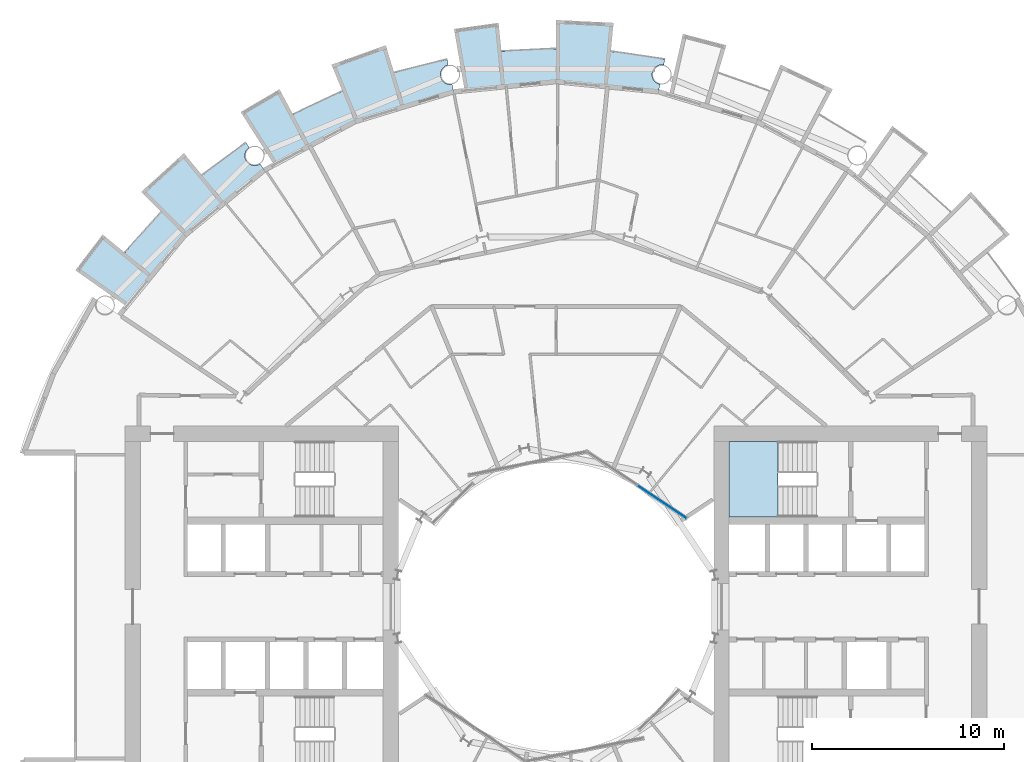
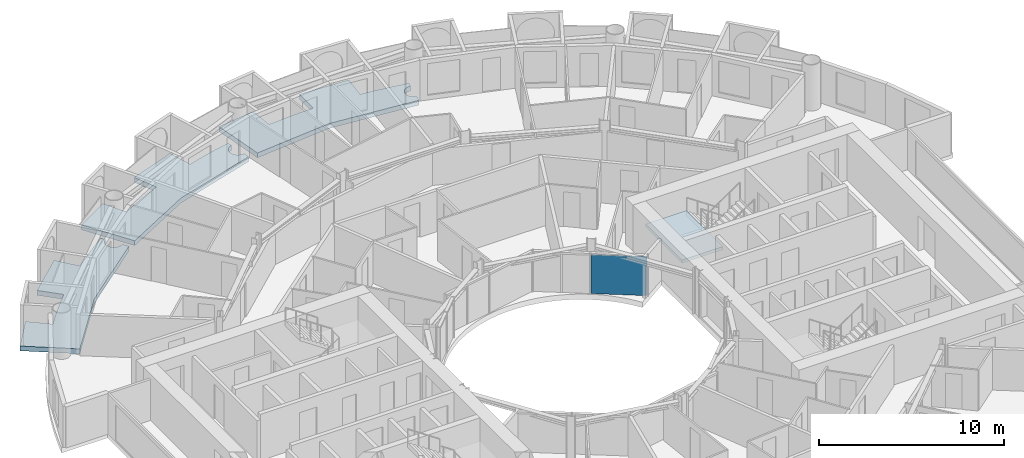
# One storey, part 11 of 26: 4 slabs, 1 plate, 2 elements without a shape of their own.
"""IFC4 building model written with IfcOpenShell, lengths in metres."""

from ifc_helpers import new_model, si_unit, direction, frame, origin, origin_2d, place, context, subcontext, project, spatial, polyline, rectangle, outline, extrude, material, layer, layer_set, type_object, element, aggregate, save


model = new_model("IFC4")

# Units and contexts
model_context = context("Model", 3, precision=1e-05, world=origin(), true_north=direction((0.0, 1.0)))
body_context = subcontext(model_context, "Body", "Model", "MODEL_VIEW")
ifc_project = project(units=[si_unit("LENGTHUNIT", "METRE"), si_unit("AREAUNIT", "SQUARE_METRE"), si_unit("VOLUMEUNIT", "CUBIC_METRE"), si_unit("PLANEANGLEUNIT", "RADIAN"), si_unit("MASSUNIT", "GRAM", prefix="KILO")], contexts=[model_context])

# Site, building, storey
site_placement = place(None, origin())
site = spatial("IfcSite", under=ifc_project, at=site_placement, CompositionType="ELEMENT")
building_placement = place(site_placement, origin())
building = spatial("IfcBuilding", under=site, at=building_placement, Name="Maasbend Ring Residences", CompositionType="ELEMENT")
storey_placement = place(building_placement, frame((0.0, 0.0, 35.0)))
storey = spatial("IfcBuildingStorey", under=building, at=storey_placement, Name="L09", CompositionType="ELEMENT", Elevation=35.0)

# Stair, slab
ifc_material_1 = material(Name="Concrete C40/50", Category="concrete")
stair_type = type_object("IfcStairType", Name="CORE STAIR 18 RISERS", PredefinedType="HALF_TURN_STAIR", material=ifc_material_1)
stair_placement = place(storey_placement, origin())
stair = element("IfcStair", 1, at=stair_placement, inside=storey, type_object=stair_type, Name="L09 Exit stair ST-E1", PredefinedType="HALF_TURN_STAIR")
ifc_material_2 = material(Name="Concrete C40/50", Category="concrete")
ifc_layer_1 = layer(ifc_material_2, 0.199951171875)
ifc_layer_set_1 = layer_set([ifc_layer_1], Name="Concrete C40/50")
slab_type_1 = type_object("IfcSlabType", Name="CORE STAIR LANDING 200", PredefinedType="LANDING", material=ifc_layer_set_1)
slab_1_placement = place(storey_placement, frame((0.0, 0.0, 1.324951171875)))
slab_1 = element("IfcSlab", 2, at=slab_1_placement, type_object=slab_type_1, Name="ST-E1 landing 1", PredefinedType="LANDING", context=body_context, shape_type="SweptSolid", body=[
    extrude(outline(polyline([(11.550048828125, 8.60009765625), (9.0, 8.60009765625), (9.0, 4.64990234375), (11.550048828125, 4.64990234375), (11.550048828125, 8.60009765625)])), origin(), (0.0, 0.0, 1.0), 0.199951171875),
])
aggregate(stair, [slab_1])

# Curtain wall, plate
ifc_material_3 = material(Name="Aluminium and clear glass", Category="aluminium")
ifc_layer_2 = layer(ifc_material_3, 0.179931640625)
ifc_layer_set_2 = layer_set([ifc_layer_2], Name="CW-W")
curtain_wall_type = type_object("IfcCurtainWallType", Name="CW-W", PredefinedType="NOTDEFINED", material=ifc_layer_set_2)
curtain_wall_placement = place(storey_placement, origin())
curtain_wall = element("IfcCurtainWall", 3, at=curtain_wall_placement, inside=storey, type_object=curtain_wall_type, Name="Well curtain wall N1", PredefinedType="NOTDEFINED")
ifc_material_4 = material(Name="Glass clear laminated", Category="glass")
ifc_layer_3 = layer(ifc_material_4, 0.031982421875)
ifc_layer_set_3 = layer_set([ifc_layer_3], Name="CWP-W")
plate_type = type_object("IfcPlateType", Name="CWP-W", PredefinedType="CURTAIN_PANEL", material=ifc_layer_set_3)
plate_placement = place(storey_placement, frame((5.51123046875, 5.44580078125, 0.0), z_axis=(0.0, 0.0, 1.0), x_axis=(-0.831469612303, 0.55557023302, 0.0)))
plate = element("IfcPlate", 4, at=plate_placement, type_object=plate_type, Name="Glass panel well face", PredefinedType="CURTAIN_PANEL", context=body_context, shape_type="SweptSolid", body=[
    extrude(rectangle(XDim=3.053955078125, YDim=0.031982421875, at=origin_2d()), origin(), (0.0, 0.0, 1.0), 2.580078125),
])
aggregate(curtain_wall, [plate])

# Slabs
ifc_material_5 = material(Name="Concrete C40/50", Category="concrete")
ifc_layer_4 = layer(ifc_material_5, 0.199951171875)
ifc_layer_set_4 = layer_set([ifc_layer_4], Name="Concrete C40/50")
slab_type_2 = type_object("IfcSlabType", Name="SL-LOGGIA", PredefinedType="FLOOR", material=ifc_layer_set_4)
slab_2_placement = place(storey_placement, frame((0.0, 0.0, -0.35009765625)))
element("IfcSlab", 5, at=slab_2_placement, inside=storey, type_object=slab_type_2, Name="Loggia floor 2", PredefinedType="FLOOR", context=body_context, shape_type="SweptSolid", body=[
    extrude(outline(polyline([(-13.6708984375, 25.575927734375), (-13.6708984375, 25.575927734375), (-13.6708984375, 25.575927734375), (-13.6708984375, 25.575927734375), (-13.6708984375, 25.575927734375), (-13.6708984375, 25.575927734375), (-13.6708984375, 25.575927734375), (-13.669921875, 25.575927734375), (-13.669921875, 25.575927734375), (-13.669921875, 25.575927734375), (-13.669921875, 25.575927734375), (-13.669921875, 25.575927734375), (-13.669921875, 25.575927734375), (-13.669921875, 25.575927734375), (-13.669921875, 25.575927734375), (-13.669921875, 25.575927734375), (-13.669921875, 25.575927734375), (-12.825927734375, 26.009033203125), (-12.825927734375, 26.009033203125), (-11.968994140625, 26.4150390625), (-11.968994140625, 26.4150390625), (-11.097900390625, 26.7919921875), (-11.097900390625, 26.7919921875), (-11.097900390625, 26.7919921875), (-11.097900390625, 26.7919921875), (-11.097900390625, 26.7919921875), (-11.097900390625, 26.7919921875), (-11.097900390625, 26.7919921875), (-11.097900390625, 26.79296875), (-11.097900390625, 26.79296875), (-11.097900390625, 26.79296875), (-11.097900390625, 26.79296875), (-11.097900390625, 26.79296875), (-11.097900390625, 26.79296875), (-11.097900390625, 26.79296875), (-11.097900390625, 26.79296875), (-11.097900390625, 26.79296875), (-11.097900390625, 26.79296875), (-11.672119140625, 28.177978515625), (-11.672119140625, 28.177978515625), (-11.672119140625, 28.177978515625), (-8.85400390625, 29.18701171875), (-8.85400390625, 29.18701171875), (-8.85400390625, 29.18701171875), (-8.41796875, 27.751953125), (-8.41796875, 27.751953125), (-8.41796875, 27.751953125), (-8.41796875, 27.751953125), (-8.41796875, 27.751953125), (-8.41796875, 27.751953125), (-8.41796875, 27.751953125), (-8.41796875, 27.7509765625), (-8.41796875, 27.7509765625), (-8.41796875, 27.7509765625), (-8.41796875, 27.7509765625), (-8.41796875, 27.7509765625), (-8.41796875, 27.7509765625), (-8.41796875, 27.7509765625), (-8.41796875, 27.7509765625), (-8.41796875, 27.7509765625), (-8.41796875, 27.7509765625), (-7.506103515625, 28.011962890625), (-7.506103515625, 28.011962890625), (-6.5849609375, 28.241943359375), (-6.5849609375, 28.241943359375), (-5.657958984375, 28.443115234375), (-5.657958984375, 28.443115234375), (-5.657958984375, 28.443115234375), (-5.60107421875, 28.156005859375), (-5.613037109375, 28.154052734375), (-5.625, 28.15087890625), (-5.636962890625, 28.14794921875), (-5.64892578125, 28.14404296875), (-5.660888671875, 28.139892578125), (-5.673095703125, 28.135986328125), (-5.68408203125, 28.132080078125), (-5.696044921875, 28.126953125), (-5.70703125, 28.123046875), (-5.718994140625, 28.116943359375), (-5.72998046875, 28.112060546875), (-5.740966796875, 28.10595703125), (-5.751953125, 28.10009765625), (-5.762939453125, 28.093994140625), (-5.77294921875, 28.0869140625), (-5.783935546875, 28.080078125), (-5.7939453125, 28.072998046875), (-5.803955078125, 28.06591796875), (-5.81396484375, 28.05908203125), (-5.823974609375, 28.051025390625), (-5.8330078125, 28.04296875), (-5.843017578125, 28.034912109375), (-5.85205078125, 28.02587890625), (-5.861083984375, 28.01708984375), (-5.868896484375, 28.008056640625), (-5.8779296875, 27.9990234375), (-5.885986328125, 27.989990234375), (-5.89404296875, 27.97998046875), (-5.902099609375, 27.970947265625), (-5.909912109375, 27.9609375), (-5.9169921875, 27.950927734375), (-5.924072265625, 27.93994140625), (-5.930908203125, 27.929931640625), (-5.93701171875, 27.9189453125), (-5.944091796875, 27.907958984375), (-5.949951171875, 27.89794921875), (-5.955078125, 27.886962890625), (-5.9609375, 27.875), (-5.966064453125, 27.864013671875), (-5.970947265625, 27.85302734375), (-5.97509765625, 27.841064453125), (-5.97998046875, 27.8291015625), (-5.98388671875, 27.81689453125), (-5.988037109375, 27.805908203125), (-5.990966796875, 27.7939453125), (-5.993896484375, 27.781982421875), (-5.9970703125, 27.76904296875), (-6.0, 27.757080078125), (-6.001953125, 27.7451171875), (-6.00390625, 27.73291015625), (-6.006103515625, 27.719970703125), (-6.007080078125, 27.7080078125), (-6.008056640625, 27.695068359375), (-6.009033203125, 27.68310546875), (-6.009033203125, 27.6708984375), (-6.010009765625, 27.657958984375), (-6.009033203125, 27.64599609375), (-6.009033203125, 27.633056640625), (-6.008056640625, 27.62109375), (-6.007080078125, 27.60791015625), (-6.006103515625, 27.595947265625), (-6.00390625, 27.583984375), (-6.001953125, 27.571044921875), (-6.0, 27.55908203125), (-5.9970703125, 27.547119140625), (-5.993896484375, 27.534912109375), (-5.990966796875, 27.52294921875), (-5.988037109375, 27.510986328125), (-5.98388671875, 27.4990234375), (-5.97998046875, 27.487060546875), (-5.97509765625, 27.47509765625), (-5.970947265625, 27.464111328125), (-5.966064453125, 27.451904296875), (-5.9609375, 27.44091796875), (-5.955078125, 27.429931640625), (-5.949951171875, 27.4189453125), (-5.944091796875, 27.407958984375), (-5.93701171875, 27.39697265625), (-5.930908203125, 27.385986328125), (-5.924072265625, 27.3759765625), (-5.9169921875, 27.365966796875), (-5.909912109375, 27.35498046875), (-5.902099609375, 27.345947265625), (-5.89404296875, 27.3359375), (-5.885986328125, 27.325927734375), (-5.8779296875, 27.31689453125), (-5.868896484375, 27.30810546875), (-5.861083984375, 27.299072265625), (-5.85205078125, 27.2900390625), (-5.843017578125, 27.281982421875), (-5.8330078125, 27.27294921875), (-5.823974609375, 27.264892578125), (-5.81396484375, 27.258056640625), (-5.803955078125, 27.25), (-5.7939453125, 27.242919921875), (-5.783935546875, 27.236083984375), (-5.77294921875, 27.22900390625), (-5.762939453125, 27.221923828125), (-5.751953125, 27.216064453125), (-5.740966796875, 27.2099609375), (-5.72998046875, 27.2041015625), (-5.718994140625, 27.198974609375), (-5.70703125, 27.194091796875), (-5.696044921875, 27.18896484375), (-5.68408203125, 27.18408203125), (-5.673095703125, 27.179931640625), (-5.660888671875, 27.176025390625), (-5.64892578125, 27.172119140625), (-5.636962890625, 27.1689453125), (-5.625, 27.1650390625), (-5.613037109375, 27.162109375), (-5.60107421875, 27.159912109375), (-5.587890625, 27.157958984375), (-5.575927734375, 27.156005859375), (-5.56396484375, 27.154052734375), (-5.551025390625, 27.153076171875), (-5.5390625, 27.15087890625), (-5.52587890625, 27.15087890625), (-5.513916015625, 27.14990234375), (-5.501953125, 27.14990234375), (-5.489013671875, 27.14990234375), (-5.47705078125, 27.15087890625), (-5.464111328125, 27.15087890625), (-5.451904296875, 27.153076171875), (-5.43896484375, 27.154052734375), (-5.427001953125, 27.156005859375), (-5.4150390625, 27.157958984375), (-5.402099609375, 27.159912109375), (-5.325927734375, 26.77490234375), (-5.325927734375, 26.77490234375), (-5.325927734375, 26.77490234375), (-7.886962890625, 25.9990234375), (-10.447021484375, 25.221923828125), (-10.447021484375, 25.221923828125), (-10.447021484375, 25.221923828125), (-12.806884765625, 23.9609375), (-14.64599609375, 22.97705078125), (-14.64599609375, 22.97705078125), (-14.64599609375, 22.97705078125), (-16.39404296875, 25.718994140625), (-16.39404296875, 25.718994140625), (-16.39404296875, 25.718994140625), (-14.3779296875, 26.89892578125), (-14.3779296875, 26.89892578125), (-14.3779296875, 26.89892578125), (-13.6708984375, 25.575927734375)])), origin(), (0.0, 0.0, 1.0), 0.320068359375),
])
slab_3_placement = place(storey_placement, frame((0.0, 0.0, -0.35009765625)))
element("IfcSlab", 6, at=slab_3_placement, inside=storey, type_object=slab_type_2, Name="Loggia floor 3", PredefinedType="FLOOR", context=body_context, shape_type="SweptSolid", body=[
    extrude(outline(polyline([(-2.843017578125, 28.861083984375), (-2.843017578125, 28.861083984375), (-2.843017578125, 28.861083984375), (-2.843017578125, 28.861083984375), (-2.842041015625, 28.861083984375), (-2.842041015625, 28.861083984375), (-2.842041015625, 28.861083984375), (-2.842041015625, 28.861083984375), (-2.842041015625, 28.861083984375), (-2.842041015625, 28.860107421875), (-2.842041015625, 28.860107421875), (-2.842041015625, 28.860107421875), (-2.842041015625, 28.860107421875), (-2.842041015625, 28.860107421875), (-2.842041015625, 28.860107421875), (-2.842041015625, 28.860107421875), (-2.842041015625, 28.860107421875), (-1.89697265625, 28.93798828125), (-1.89697265625, 28.93798828125), (-0.948974609375, 28.98388671875), (-0.948974609375, 28.98388671875), (0.0, 29.0), (0.0, 29.0), (0.0, 29.0), (0.0, 29.0), (0.0, 29.0), (0.0, 29.0), (0.0, 29.0), (0.0, 29.0), (0.0, 29.0), (0.0, 29.0), (0.0, 29.0), (0.0, 29.0), (0.0, 29.0), (0.0, 29.0), (0.0, 29.0), (0.0, 29.0), (0.0, 29.0), (0.0, 30.5), (0.0, 30.5), (0.0, 30.5), (2.989990234375, 30.35302734375), (2.989990234375, 30.35302734375), (2.989990234375, 30.35302734375), (2.843017578125, 28.861083984375), (2.843017578125, 28.861083984375), (2.843017578125, 28.861083984375), (2.843017578125, 28.861083984375), (2.843017578125, 28.861083984375), (2.843017578125, 28.861083984375), (2.843017578125, 28.861083984375), (2.843017578125, 28.861083984375), (2.843017578125, 28.860107421875), (2.843017578125, 28.860107421875), (2.843017578125, 28.860107421875), (2.843017578125, 28.860107421875), (2.843017578125, 28.860107421875), (2.843017578125, 28.860107421875), (2.843017578125, 28.860107421875), (2.843017578125, 28.860107421875), (2.843017578125, 28.860107421875), (3.784912109375, 28.751953125), (3.784912109375, 28.751953125), (4.72412109375, 28.613037109375), (4.72412109375, 28.613037109375), (5.657958984375, 28.443115234375), (5.657958984375, 28.443115234375), (5.657958984375, 28.443115234375), (5.60107421875, 28.156005859375), (5.60107421875, 28.156005859375), (5.587890625, 28.158935546875), (5.575927734375, 28.160888671875), (5.56396484375, 28.162109375), (5.551025390625, 28.1640625), (5.5390625, 28.1650390625), (5.52587890625, 28.1650390625), (5.513916015625, 28.166015625), (5.501953125, 28.166015625), (5.489013671875, 28.166015625), (5.47705078125, 28.1650390625), (5.464111328125, 28.1650390625), (5.451904296875, 28.1640625), (5.43896484375, 28.162109375), (5.427001953125, 28.160888671875), (5.4150390625, 28.158935546875), (5.402099609375, 28.156005859375), (5.389892578125, 28.154052734375), (5.3779296875, 28.15087890625), (5.365966796875, 28.14794921875), (5.35400390625, 28.14404296875), (5.342041015625, 28.139892578125), (5.330078125, 28.135986328125), (5.319091796875, 28.132080078125), (5.306884765625, 28.126953125), (5.2958984375, 28.123046875), (5.283935546875, 28.116943359375), (5.27294921875, 28.112060546875), (5.261962890625, 28.10595703125), (5.2509765625, 28.10009765625), (5.239990234375, 28.093994140625), (5.22998046875, 28.0869140625), (5.218994140625, 28.080078125), (5.208984375, 28.072998046875), (5.198974609375, 28.06591796875), (5.18896484375, 28.05908203125), (5.178955078125, 28.051025390625), (5.169921875, 28.04296875), (5.159912109375, 28.034912109375), (5.15087890625, 28.02587890625), (5.14208984375, 28.01708984375), (5.134033203125, 28.008056640625), (5.125, 27.9990234375), (5.116943359375, 27.989990234375), (5.10888671875, 27.97998046875), (5.10107421875, 27.970947265625), (5.093017578125, 27.9609375), (5.0859375, 27.950927734375), (5.0791015625, 27.93994140625), (5.072021484375, 27.929931640625), (5.06591796875, 27.9189453125), (5.05908203125, 27.907958984375), (5.052978515625, 27.89794921875), (5.048095703125, 27.886962890625), (5.0419921875, 27.875), (5.037109375, 27.864013671875), (5.031982421875, 27.85302734375), (5.028076171875, 27.841064453125), (5.02294921875, 27.8291015625), (5.01904296875, 27.81689453125), (5.014892578125, 27.805908203125), (5.011962890625, 27.7939453125), (5.009033203125, 27.781982421875), (5.006103515625, 27.76904296875), (5.0029296875, 27.757080078125), (5.0009765625, 27.7451171875), (4.9990234375, 27.73291015625), (4.9970703125, 27.719970703125), (4.99609375, 27.7080078125), (4.9951171875, 27.695068359375), (4.993896484375, 27.68310546875), (4.993896484375, 27.6708984375), (4.993896484375, 27.657958984375), (4.993896484375, 27.64599609375), (4.993896484375, 27.633056640625), (4.9951171875, 27.62109375), (4.99609375, 27.60791015625), (4.9970703125, 27.595947265625), (4.9990234375, 27.583984375), (5.0009765625, 27.571044921875), (5.0029296875, 27.55908203125), (5.006103515625, 27.547119140625), (5.009033203125, 27.534912109375), (5.011962890625, 27.52294921875), (5.014892578125, 27.510986328125), (5.01904296875, 27.4990234375), (5.02294921875, 27.487060546875), (5.028076171875, 27.47509765625), (5.031982421875, 27.464111328125), (5.037109375, 27.451904296875), (5.0419921875, 27.44091796875), (5.048095703125, 27.429931640625), (5.052978515625, 27.4189453125), (5.05908203125, 27.407958984375), (5.06591796875, 27.39697265625), (5.072021484375, 27.385986328125), (5.0791015625, 27.3759765625), (5.0859375, 27.365966796875), (5.093017578125, 27.35498046875), (5.10107421875, 27.345947265625), (5.10888671875, 27.3359375), (5.116943359375, 27.325927734375), (5.125, 27.31689453125), (5.134033203125, 27.30810546875), (5.14208984375, 27.299072265625), (5.15087890625, 27.2900390625), (5.159912109375, 27.281982421875), (5.169921875, 27.27294921875), (5.178955078125, 27.264892578125), (5.18896484375, 27.258056640625), (5.198974609375, 27.25), (5.208984375, 27.242919921875), (5.218994140625, 27.236083984375), (5.22998046875, 27.22900390625), (5.239990234375, 27.221923828125), (5.2509765625, 27.216064453125), (5.261962890625, 27.2099609375), (5.27294921875, 27.2041015625), (5.283935546875, 27.198974609375), (5.2958984375, 27.194091796875), (5.306884765625, 27.18896484375), (5.319091796875, 27.18408203125), (5.330078125, 27.179931640625), (5.342041015625, 27.176025390625), (5.35400390625, 27.172119140625), (5.365966796875, 27.1689453125), (5.3779296875, 27.1650390625), (5.389892578125, 27.162109375), (5.402099609375, 27.159912109375), (5.402099609375, 27.159912109375), (5.325927734375, 26.77490234375), (5.325927734375, 26.77490234375), (5.325927734375, 26.77490234375), (2.6630859375, 27.0380859375), (0.0, 27.300048828125), (0.0, 27.300048828125), (0.0, 27.300048828125), (-2.6630859375, 27.0380859375), (-4.739013671875, 26.8330078125), (-4.739013671875, 26.8330078125), (-4.739013671875, 26.8330078125), (-5.303955078125, 30.034912109375), (-5.303955078125, 30.034912109375), (-5.303955078125, 30.034912109375), (-2.989990234375, 30.35302734375), (-2.989990234375, 30.35302734375), (-2.989990234375, 30.35302734375), (-2.843017578125, 28.861083984375)])), origin(), (0.0, 0.0, 1.0), 0.320068359375),
])
slab_4_placement = place(storey_placement, frame((0.0, 0.0, -0.35009765625)))
element("IfcSlab", 7, at=slab_4_placement, inside=storey, type_object=slab_type_2, Name="Loggia floor 5", PredefinedType="FLOOR", context=body_context, shape_type="SweptSolid", body=[
    extrude(outline(polyline([(-22.41796875, 18.39794921875), (-22.41796875, 18.39794921875), (-22.41796875, 18.39794921875), (-22.41796875, 18.39794921875), (-22.41796875, 18.39794921875), (-22.4169921875, 18.39794921875), (-22.4169921875, 18.39794921875), (-22.4169921875, 18.39794921875), (-22.4169921875, 18.39794921875), (-22.4169921875, 18.39794921875), (-22.4169921875, 18.39794921875), (-22.4169921875, 18.39794921875), (-22.4169921875, 18.39794921875), (-22.4169921875, 18.39794921875), (-22.4169921875, 18.39794921875), (-22.4169921875, 18.39794921875), (-22.4169921875, 18.39794921875), (-21.802978515625, 19.12109375), (-21.802978515625, 19.12109375), (-21.166015625, 19.823974609375), (-21.166015625, 19.823974609375), (-20.506103515625, 20.506103515625), (-20.506103515625, 20.506103515625), (-20.506103515625, 20.506103515625), (-20.506103515625, 20.506103515625), (-20.506103515625, 20.506103515625), (-20.506103515625, 20.506103515625), (-20.506103515625, 20.506103515625), (-20.506103515625, 20.506103515625), (-20.506103515625, 20.506103515625), (-20.506103515625, 20.506103515625), (-20.506103515625, 20.506103515625), (-20.506103515625, 20.506103515625), (-20.506103515625, 20.506103515625), (-20.506103515625, 20.506103515625), (-20.506103515625, 20.506103515625), (-20.506103515625, 20.506103515625), (-20.506103515625, 20.506103515625), (-21.56689453125, 21.56689453125), (-21.56689453125, 21.56689453125), (-21.56689453125, 21.56689453125), (-19.34912109375, 23.576904296875), (-19.34912109375, 23.576904296875), (-19.34912109375, 23.576904296875), (-18.39794921875, 22.41796875), (-18.39794921875, 22.41796875), (-18.39794921875, 22.41796875), (-18.39794921875, 22.41796875), (-18.39794921875, 22.41796875), (-18.39794921875, 22.41796875), (-18.39697265625, 22.41796875), (-18.39697265625, 22.41796875), (-18.39697265625, 22.41796875), (-18.39697265625, 22.41796875), (-18.39697265625, 22.41796875), (-18.39697265625, 22.41796875), (-18.39697265625, 22.41796875), (-18.39697265625, 22.41796875), (-18.39697265625, 22.41796875), (-18.39697265625, 22.41796875), (-18.39697265625, 22.41796875), (-17.654052734375, 23.007080078125), (-17.654052734375, 23.007080078125), (-16.89208984375, 23.572998046875), (-16.89208984375, 23.572998046875), (-16.112060546875, 24.113037109375), (-16.112060546875, 24.113037109375), (-16.112060546875, 24.113037109375), (-15.948974609375, 23.8701171875), (-15.948974609375, 23.8701171875), (-15.9599609375, 23.863037109375), (-15.969970703125, 23.85498046875), (-15.97998046875, 23.847900390625), (-15.989013671875, 23.840087890625), (-15.9990234375, 23.83203125), (-16.008056640625, 23.823974609375), (-16.01708984375, 23.81494140625), (-16.02587890625, 23.806884765625), (-16.034912109375, 23.798095703125), (-16.0439453125, 23.7890625), (-16.052001953125, 23.779052734375), (-16.06005859375, 23.77001953125), (-16.068115234375, 23.760009765625), (-16.074951171875, 23.75), (-16.08203125, 23.739990234375), (-16.089111328125, 23.72998046875), (-16.095947265625, 23.718994140625), (-16.10302734375, 23.708984375), (-16.10888671875, 23.697998046875), (-16.114990234375, 23.68701171875), (-16.12109375, 23.676025390625), (-16.1259765625, 23.6650390625), (-16.132080078125, 23.653076171875), (-16.135986328125, 23.64208984375), (-16.14111328125, 23.6298828125), (-16.14501953125, 23.618896484375), (-16.14892578125, 23.60693359375), (-16.153076171875, 23.594970703125), (-16.156982421875, 23.5830078125), (-16.159912109375, 23.571044921875), (-16.1630859375, 23.55908203125), (-16.1650390625, 23.547119140625), (-16.16796875, 23.533935546875), (-16.169921875, 23.52197265625), (-16.1708984375, 23.510009765625), (-16.173095703125, 23.4970703125), (-16.174072265625, 23.485107421875), (-16.174072265625, 23.471923828125), (-16.175048828125, 23.4599609375), (-16.175048828125, 23.447021484375), (-16.175048828125, 23.43505859375), (-16.174072265625, 23.422119140625), (-16.174072265625, 23.409912109375), (-16.173095703125, 23.39794921875), (-16.1708984375, 23.385009765625), (-16.169921875, 23.373046875), (-16.16796875, 23.361083984375), (-16.1650390625, 23.347900390625), (-16.1630859375, 23.3359375), (-16.159912109375, 23.323974609375), (-16.156982421875, 23.31201171875), (-16.153076171875, 23.300048828125), (-16.14892578125, 23.2880859375), (-16.14501953125, 23.27587890625), (-16.14111328125, 23.264892578125), (-16.135986328125, 23.2529296875), (-16.132080078125, 23.241943359375), (-16.1259765625, 23.22998046875), (-16.12109375, 23.218994140625), (-16.114990234375, 23.2080078125), (-16.10888671875, 23.197021484375), (-16.10302734375, 23.18603515625), (-16.095947265625, 23.176025390625), (-16.089111328125, 23.1650390625), (-16.08203125, 23.155029296875), (-16.074951171875, 23.14501953125), (-16.068115234375, 23.135009765625), (-16.06005859375, 23.125), (-16.052001953125, 23.115966796875), (-16.0439453125, 23.10595703125), (-16.034912109375, 23.096923828125), (-16.02587890625, 23.087890625), (-16.01708984375, 23.0791015625), (-16.008056640625, 23.071044921875), (-15.9990234375, 23.06298828125), (-15.989013671875, 23.054931640625), (-15.97998046875, 23.047119140625), (-15.969970703125, 23.0390625), (-15.9599609375, 23.031982421875), (-15.948974609375, 23.02490234375), (-15.93896484375, 23.01806640625), (-15.927978515625, 23.011962890625), (-15.9169921875, 23.0048828125), (-15.906982421875, 22.9990234375), (-15.89599609375, 22.993896484375), (-15.884033203125, 22.988037109375), (-15.873046875, 22.98291015625), (-15.862060546875, 22.97802734375), (-15.85009765625, 22.972900390625), (-15.837890625, 22.968994140625), (-15.825927734375, 22.965087890625), (-15.81494140625, 22.9609375), (-15.802978515625, 22.9580078125), (-15.791015625, 22.955078125), (-15.778076171875, 22.951904296875), (-15.76611328125, 22.948974609375), (-15.75390625, 22.947021484375), (-15.741943359375, 22.945068359375), (-15.72900390625, 22.943115234375), (-15.717041015625, 22.94189453125), (-15.7041015625, 22.94091796875), (-15.69189453125, 22.93994140625), (-15.679931640625, 22.93994140625), (-15.6669921875, 22.93896484375), (-15.655029296875, 22.93994140625), (-15.64208984375, 22.93994140625), (-15.6298828125, 22.94091796875), (-15.616943359375, 22.94189453125), (-15.60498046875, 22.943115234375), (-15.593017578125, 22.945068359375), (-15.580078125, 22.947021484375), (-15.568115234375, 22.948974609375), (-15.555908203125, 22.951904296875), (-15.5439453125, 22.955078125), (-15.531982421875, 22.9580078125), (-15.52001953125, 22.9609375), (-15.508056640625, 22.965087890625), (-15.49609375, 22.968994140625), (-15.48388671875, 22.972900390625), (-15.472900390625, 22.97802734375), (-15.4609375, 22.98291015625), (-15.449951171875, 22.988037109375), (-15.43896484375, 22.993896484375), (-15.427978515625, 22.9990234375), (-15.4169921875, 23.0048828125), (-15.406005859375, 23.011962890625), (-15.39501953125, 23.01806640625), (-15.385009765625, 23.02490234375), (-15.385009765625, 23.02490234375), (-15.1669921875, 22.698974609375), (-15.1669921875, 22.698974609375), (-15.1669921875, 22.698974609375), (-17.236083984375, 21.001953125), (-19.303955078125, 19.303955078125), (-19.303955078125, 19.303955078125), (-19.303955078125, 19.303955078125), (-21.001953125, 17.236083984375), (-22.324951171875, 15.623046875), (-22.324951171875, 15.623046875), (-22.324951171875, 15.623046875), (-24.989013671875, 17.488037109375), (-24.989013671875, 17.488037109375), (-24.989013671875, 17.488037109375), (-23.576904296875, 19.34912109375), (-23.576904296875, 19.34912109375), (-23.576904296875, 19.34912109375), (-22.41796875, 18.39794921875)])), origin(), (0.0, 0.0, 1.0), 0.320068359375),
])

save(model, "model.ifc")
